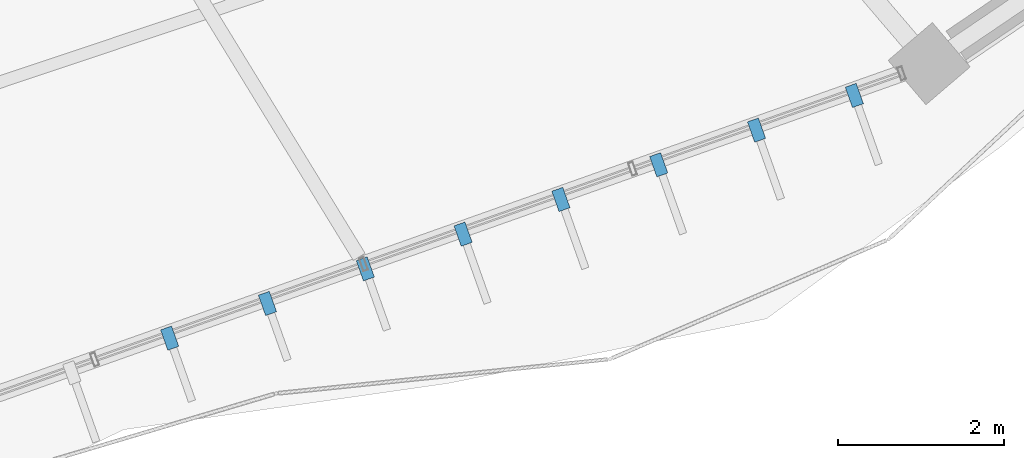
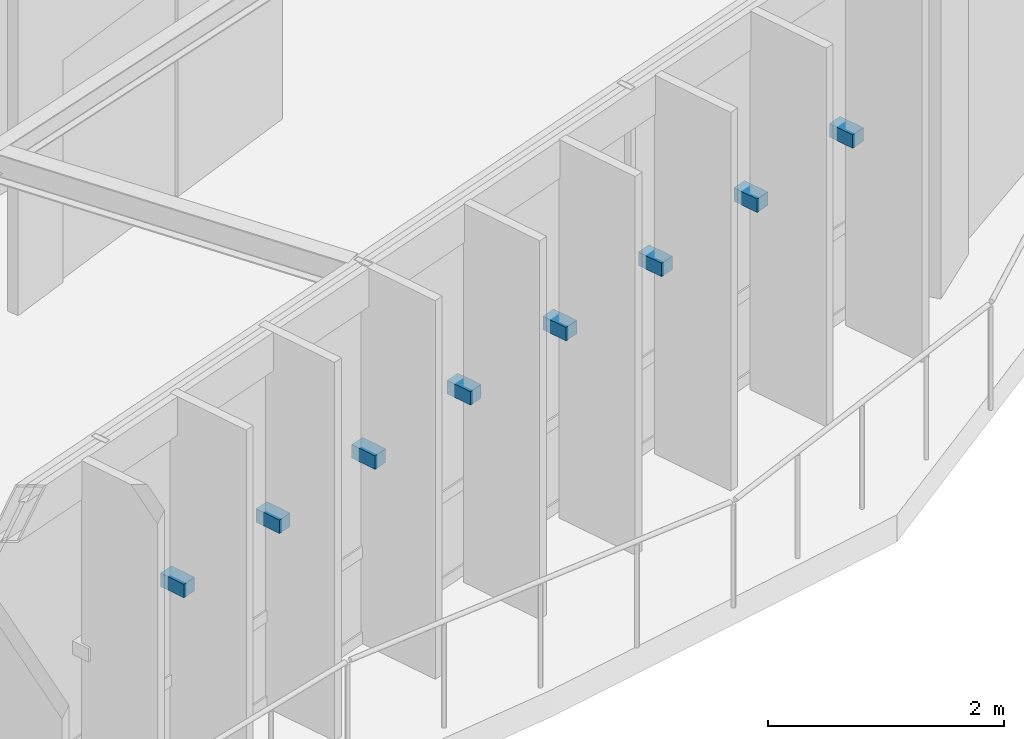
# One storey, part 124 of 138: 8 discrete accessories.
"""IFC4 building model written with IfcOpenShell, lengths in metres."""

import ifcopenshell
import ifcopenshell.guid

model = None  # the IFC model being written
_history = None  # IfcOwnerHistory: only IFC2X3 demands one
_inside = {}  # id of a spatial element -> (the spatial element, [elements in it])
_under = {}  # id of a project, library or spatial element -> (it, [spatial elements below it])
_declared = {}  # id of a project -> (the project, [libraries it declares])
_typed = {}  # id of a type object -> (the type object, [elements of that type])
_made_of = {}  # id of a material, layer set ... -> (it, [elements and type objects made of it])


def new_model(schema):
    """Start an empty IFC model of exactly this schema.

    Asked for "IFC4X3", IfcOpenShell would pick the latest addendum, in which some entities
    have other attributes; the version numbers below select the first issue.
    IFC2X3 requires an IfcOwnerHistory on every rooted entity: one is made here for all.
    """
    global model, _history
    if schema == "IFC4X3":
        model = ifcopenshell.file(schema_version=(4, 3, 0, 0))
    else:
        model = ifcopenshell.file(schema=schema)
    _inside.clear()
    _under.clear()
    _declared.clear()
    _typed.clear()
    _made_of.clear()
    _history = None
    if model.schema == "IFC2X3":
        org = make("IfcOrganization", Name="unknown")
        user = make(
            "IfcPersonAndOrganization",
            ThePerson=make("IfcPerson", FamilyName="unknown"),
            TheOrganization=org,
        )
        app = make(
            "IfcApplication",
            ApplicationDeveloper=org,
            Version="unknown",
            ApplicationFullName="unknown",
            ApplicationIdentifier="unknown",
        )
        _history = make(
            "IfcOwnerHistory",
            OwningUser=user,
            OwningApplication=app,
            ChangeAction="ADDED",
            CreationDate=0,
        )
    return model


def make(cls, **values):
    """One entity of the class cls with the attributes given. An attribute that is None is left unset."""
    return model.create_entity(
        cls, **{name: value for name, value in values.items() if value is not None}
    )


def rooted(cls, **values):
    """An entity with a GlobalId (a new one), such as an element, a storey or a relation."""
    return make(cls, GlobalId=ifcopenshell.guid.new(), OwnerHistory=_history, **values)


def si_unit(unit_type, name, prefix=None):
    """IfcSIUnit, for example si_unit("LENGTHUNIT", "METRE", prefix="MILLI")."""
    return make("IfcSIUnit", UnitType=unit_type, Prefix=prefix, Name=name)


def assignment(units):
    """IfcUnitAssignment: the units of a project."""
    return None if units is None else make("IfcUnitAssignment", Units=units)


def point(xyz):
    """IfcCartesianPoint."""
    return None if xyz is None else make("IfcCartesianPoint", Coordinates=xyz)


def direction(xyz):
    """IfcDirection."""
    return None if xyz is None else make("IfcDirection", DirectionRatios=xyz)


def frame(location, z_axis=None, x_axis=None):
    """IfcAxis2Placement3D, a coordinate frame: its origin and axes. An axis left out is left unset."""
    return make(
        "IfcAxis2Placement3D",
        Location=point(location),
        Axis=direction(z_axis),
        RefDirection=direction(x_axis),
    )


def frame_2d(location, x_axis=None):
    """IfcAxis2Placement2D, a coordinate frame in the plane: its origin and x axis."""
    return make(
        "IfcAxis2Placement2D", Location=point(location), RefDirection=direction(x_axis)
    )


def origin():
    """The frame at (0, 0, 0) with its axes left unset."""
    return frame((0.0, 0.0, 0.0))


def origin_2d():
    """The frame at (0, 0) in the plane with its x axis left unset."""
    return frame_2d((0.0, 0.0))


def place(relative_to, where):
    """IfcLocalPlacement: puts the frame where relative to a parent placement (None: the world)."""
    return make(
        "IfcLocalPlacement", PlacementRelTo=relative_to, RelativePlacement=where
    )


def context(
    kind, dimensions, precision=None, world=None, true_north=None, identifier=None
):
    """IfcGeometricRepresentationContext, for example the 3D "Model" context."""
    return make(
        "IfcGeometricRepresentationContext",
        ContextIdentifier=identifier,
        ContextType=kind,
        CoordinateSpaceDimension=dimensions,
        Precision=precision,
        WorldCoordinateSystem=world,
        TrueNorth=true_north,
    )


def subcontext(parent, identifier, kind, view, scale=None):
    """IfcGeometricRepresentationSubContext, for example "Body" below "Model"."""
    return make(
        "IfcGeometricRepresentationSubContext",
        ContextIdentifier=identifier,
        ContextType=kind,
        ParentContext=parent,
        TargetScale=scale,
        TargetView=view,
    )


def project(units=None, contexts=None):
    """IfcProject with its units and contexts."""
    return rooted(
        "IfcProject",
        Name="project",
        RepresentationContexts=contexts,
        UnitsInContext=assignment(units),
    )


def spatial(cls, under=None, at=None, **own):
    """A site, building, storey or space (cls), placed at a placement, below another one or the project."""
    s = rooted(cls, ObjectPlacement=at, **own)
    if under is not None:
        _under.setdefault(under.id(), (under, []))[1].append(s)
    return s


def profile(cls, at=None, kind="AREA", **sizes):
    """A parametric profile (cls). Its sizes go by their IFC names, for example OverallWidth=200.0."""
    return make(cls, ProfileType=kind, Position=at, **sizes)


def rectangle(**sizes):
    """IfcRectangleProfileDef."""
    return profile("IfcRectangleProfileDef", **sizes)


def extrude(swept, where, along, depth):
    """IfcExtrudedAreaSolid: the profile swept, set in the frame where, extruded along a direction by depth."""
    return make(
        "IfcExtrudedAreaSolid",
        SweptArea=swept,
        Position=where,
        ExtrudedDirection=direction(along),
        Depth=depth,
    )


def shape(context_of_items, identifier, shape_type, items):
    """IfcShapeRepresentation: the items that make up one representation, for example the "Body"."""
    return make(
        "IfcShapeRepresentation",
        ContextOfItems=context_of_items,
        RepresentationIdentifier=identifier,
        RepresentationType=shape_type,
        Items=items,
    )


def material(Name=None, Category=None):
    """IfcMaterial."""
    return make("IfcMaterial", Name=Name, Category=Category)


def made_of(thing, what):
    """Note that an element or type object is made of a material, layer set ...; save() writes the relation."""
    if what is not None:
        _made_of.setdefault(what.id(), (what, []))[1].append(thing)
    return thing


def type_object(cls, material=None, **own):
    """A type object (cls), such as IfcWallType, which elements share."""
    return made_of(rooted(cls, **own), material)


def element(
    cls,
    number,
    at=None,
    inside=None,
    cuts=None,
    type_object=None,
    material=None,
    context=None,
    identifier="Body",
    shape_type=None,
    held_by="IfcProductDefinitionShape",
    body=None,
    shapes=None,
    **own,
):
    """One element of the class cls, such as IfcWall. Its Tag is "e" and its number.

    at: its placement. inside: the storey or other place that contains it. cuts: it is an
    opening in that element (IfcRelVoidsElement). A single representation is given by context,
    identifier, shape_type and body (its items); several are given by shapes. held_by: the class
    of the entity that holds the representations. save() writes the other relations.
    """
    e = rooted(cls, Tag="e%d" % number, ObjectPlacement=at, **own)
    if body is not None:
        shapes = [shape(context, identifier, shape_type, body)]
    if shapes is not None:
        e.Representation = make(held_by, Representations=shapes)
    if inside is not None:
        _inside.setdefault(inside.id(), (inside, []))[1].append(e)
    if cuts is not None:
        rooted(
            "IfcRelVoidsElement", RelatingBuildingElement=cuts, RelatedOpeningElement=e
        )
    if type_object is not None:
        _typed.setdefault(type_object.id(), (type_object, []))[1].append(e)
    return made_of(e, material)


def aggregate(whole, parts):
    """IfcRelAggregates: a whole, such as a stair, and the parts it consists of."""
    return rooted("IfcRelAggregates", RelatingObject=whole, RelatedObjects=parts)


def save(model, path):
    """Write the relations noted so far, then the file.

    IfcRelAggregates (storeys below a building ...), IfcRelContainedInSpatialStructure (elements
    in a storey), IfcRelDefinesByType, IfcRelAssociatesMaterial and IfcRelDeclares: one each for
    every whole, place, type object, material and project.
    """
    for whole, parts in _under.values():
        aggregate(whole, parts)
    for where, things in _inside.values():
        rooted(
            "IfcRelContainedInSpatialStructure",
            RelatedElements=things,
            RelatingStructure=where,
        )
    for kind, things in _typed.values():
        rooted("IfcRelDefinesByType", RelatedObjects=things, RelatingType=kind)
    for what, things in _made_of.values():
        rooted("IfcRelAssociatesMaterial", RelatedObjects=things, RelatingMaterial=what)
    for by, libraries in _declared.values():
        rooted("IfcRelDeclares", RelatingContext=by, RelatedDefinitions=libraries)
    model.write(path)


model = new_model("IFC4")

# Units and contexts
model_context = context("Model", 3, precision=1e-05, world=origin(), true_north=direction((0.0, 1.0)))
body_context = subcontext(model_context, "Body", "Model", "MODEL_VIEW")
ifc_project = project(units=[si_unit("LENGTHUNIT", "METRE"), si_unit("AREAUNIT", "SQUARE_METRE"), si_unit("VOLUMEUNIT", "CUBIC_METRE"), si_unit("PLANEANGLEUNIT", "RADIAN"), si_unit("MASSUNIT", "GRAM", prefix="KILO"), si_unit("THERMODYNAMICTEMPERATUREUNIT", "KELVIN"), si_unit("POWERUNIT", "WATT")], contexts=[model_context])

# Site, building, storey
site_placement = place(None, origin())
site = spatial("IfcSite", under=ifc_project, at=site_placement, CompositionType="ELEMENT")
building_placement = place(site_placement, origin())
building = spatial("IfcBuilding", under=site, at=building_placement, Name="Darbajah Civic Hall", CompositionType="ELEMENT")
storey_placement = place(building_placement, frame((0.0, 0.0, 9.60009765625)))
storey = spatial("IfcBuildingStorey", under=building, at=storey_placement, Name="L02", CompositionType="ELEMENT", Elevation=9.60009765625)

# Discrete accessories
ifc_material = material(Name="Stainless Steel S355JR", Category="steel")
discrete_accessory_type = type_object("IfcDiscreteAccessoryType", Name="Stainless Facade Support Bracket", PredefinedType="BRACKET", material=ifc_material)
for number, where, z_axis, x_axis, name in (
    (1, (113.08642578125, 64.066162109375, 1.89013671875), (0.0, 0.0, 1.0), (0.334135882844, -0.94252491309, 0.0), "L02 shading fin bracket 16-4"),
    (2, (114.262939453125, 64.483154296875, 1.89013671875), (0.0, 0.0, 1.0), (0.334135882844, -0.94252491309, 0.0), "L02 shading fin bracket 16-5"),
    (3, (115.439453125, 64.900146484375, 1.89013671875), (0.0, 0.0, 1.0), (0.334135882844, -0.94252491309, 0.0), "L02 shading fin bracket 16-6"),
    (4, (116.615966796875, 65.3173828125, 1.89013671875), (0.0, 0.0, 1.0), (0.334135882844, -0.94252491309, 0.0), "L02 shading fin bracket 16-7"),
    (5, (117.79248046875, 65.734375, 1.89013671875), (0.0, 0.0, 1.0), (0.334135882844, -0.94252491309, 0.0), "L02 shading fin bracket 16-8"),
    (6, (118.968994140625, 66.1513671875, 1.89013671875), (0.0, 0.0, 1.0), (0.334135882844, -0.94252491309, 0.0), "L02 shading fin bracket 16-9"),
    (7, (120.1455078125, 66.568359375, 1.89013671875), (0.0, 0.0, 1.0), (0.334135882844, -0.94252491309, 0.0), "L02 shading fin bracket 16-10"),
    (8, (121.322021484375, 66.9853515625, 1.89013671875), (0.0, 0.0, 1.0), (0.334135882844, -0.94252491309, 0.0), "L02 shading fin bracket 16-11"),
):
    element("IfcDiscreteAccessory", number, at=place(storey_placement, frame(where, z_axis=z_axis, x_axis=x_axis)), inside=storey, type_object=discrete_accessory_type, Name=name, PredefinedType="BRACKET", context=body_context, shape_type="SweptSolid", body=[
        extrude(rectangle(XDim=0.260009765625, YDim=0.139892578125, at=origin_2d()), origin(), (0.0, 0.0, 1.0), 0.139892578125),
    ])

save(model, "model.ifc")
